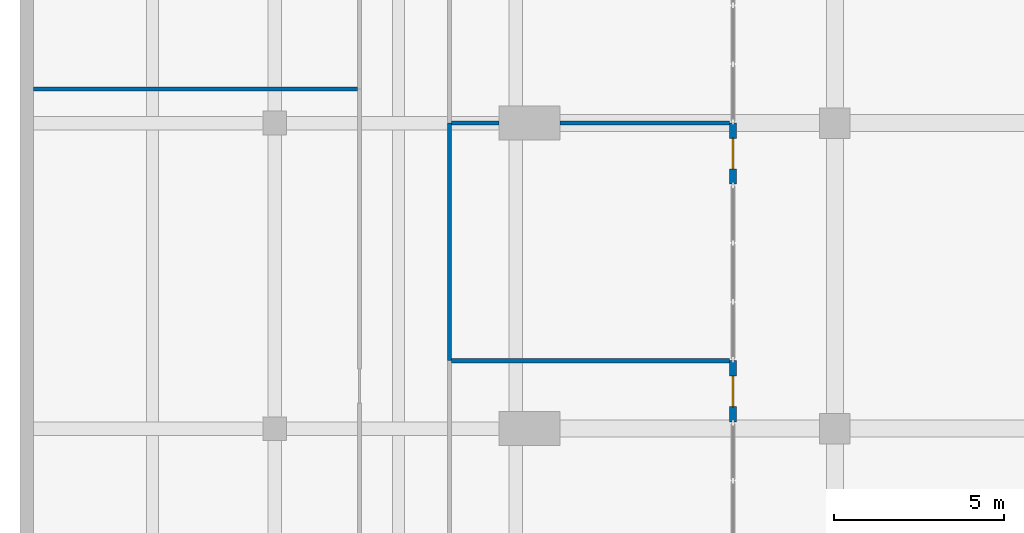
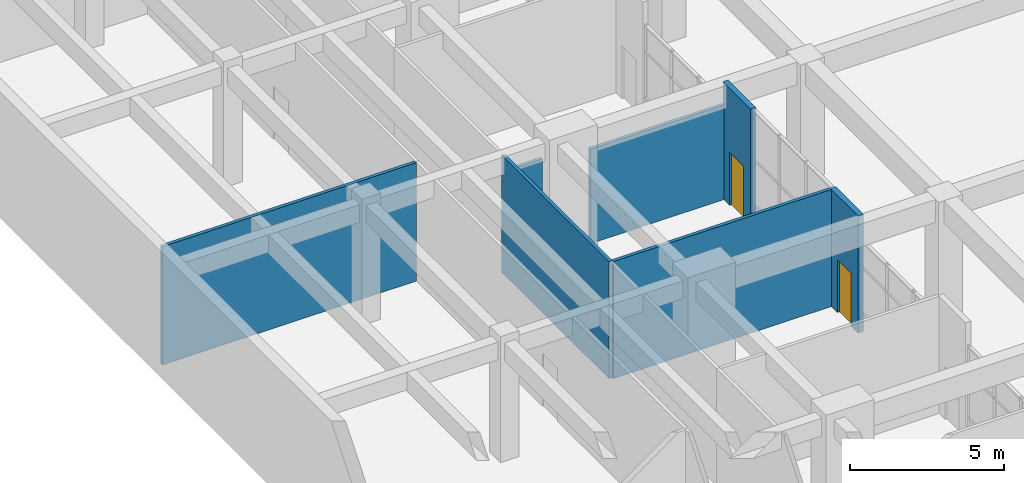
# One storey, part 19 of 29: 7 walls, 2 doors, 2 openings.
"""IFC4 building model written with IfcOpenShell, lengths in metres."""

from ifc_helpers import new_model, si_unit, direction, frame, frame_2d, origin, place, context, subcontext, project, spatial, rectangle, extrude, material, layer, layer_set, type_object, element, fill, save


model = new_model("IFC4")

# Units and contexts
model_context = context("Model", 3, precision=1e-05, world=origin(), true_north=direction((0.0, 1.0)))
body_context = subcontext(model_context, "Body", "Model", "MODEL_VIEW")
ifc_project = project(units=[si_unit("LENGTHUNIT", "METRE"), si_unit("AREAUNIT", "SQUARE_METRE"), si_unit("VOLUMEUNIT", "CUBIC_METRE"), si_unit("PLANEANGLEUNIT", "RADIAN"), si_unit("MASSUNIT", "GRAM", prefix="KILO")], contexts=[model_context])

# Site, building, storey
site_placement = place(None, origin())
site = spatial("IfcSite", under=ifc_project, at=site_placement, CompositionType="ELEMENT")
building_placement = place(site_placement, origin())
building = spatial("IfcBuilding", under=site, at=building_placement, Name="Elmora Arch Market Hall", CompositionType="ELEMENT")
storey_placement = place(building_placement, frame((0.0, 0.0, -5.0)))
storey = spatial("IfcBuildingStorey", under=building, at=storey_placement, Name="LG", CompositionType="ELEMENT", Elevation=-5.0)

# Wall, opening, door
ifc_material_1 = material(Name="Concrete C40/50", Category="concrete")
ifc_layer_1 = layer(ifc_material_1, 0.199951171875)
ifc_layer_set_1 = layer_set([ifc_layer_1], Name="Concrete C40/50")
wall_type_1 = type_object("IfcWallType", Name="Concrete shopfront pier 200", PredefinedType="PARTITIONING", material=ifc_layer_set_1)
wall_1_placement = place(storey_placement, frame((21.0, 54.199951171875, 0.0), z_axis=(0.0, 0.0, 1.0), x_axis=(0.0, 1.0, 0.0)))
wall_1 = element("IfcWall", 1, at=wall_1_placement, inside=storey, type_object=wall_type_1, Name="Lower ground shopfront pier W2", PredefinedType="PARTITIONING", context=body_context, shape_type="SweptSolid", body=[
    extrude(rectangle(XDim=1.800048828125, YDim=0.199951171875, at=frame_2d((0.89990234375, 0.0))), origin(), (0.0, 0.0, 1.0), 4.64990234375),
])
opening_1_placement = place(wall_1_placement, frame((0.449951171875, 0.0, 0.0)))
opening_1 = element("IfcOpeningElement", 2, at=opening_1_placement, cuts=wall_1, Name="Opening SD-LG-W2", PredefinedType="OPENING", context=body_context, shape_type="SweptSolid", body=[
    extrude(rectangle(XDim=0.89990234375, YDim=2.10009765625, at=frame_2d((0.449951171875, 1.050048828125))), frame((0.0, 0.10986328125, 0.0), z_axis=(0.0, -1.0, 0.0), x_axis=(1.0, 0.0, 0.0)), (0.0, 0.0, 1.0), 0.219970703125),
])
ifc_material_2 = material(Name="Glazed aluminium", Category="aluminium")
door_type = type_object("IfcDoorType", Name="Lower ground shop door 900x2100", OperationType="SINGLE_SWING_LEFT", PredefinedType="DOOR", material=ifc_material_2)
door_1_placement = place(opening_1_placement, origin())
door_1 = element("IfcDoor", 3, at=door_1_placement, inside=storey, type_object=door_type, Name="Lower ground shop door W2", OperationType="SINGLE_SWING_RIGHT", OverallHeight=2.10009765625, OverallWidth=0.89990234375, PredefinedType="DOOR", context=body_context, shape_type="SweptSolid", body=[
    extrude(rectangle(XDim=0.89990234375, YDim=2.10009765625, at=frame_2d((0.449951171875, 1.050048828125))), frame((0.0, 0.02490234375, 0.0), z_axis=(0.0, -1.0, 0.0), x_axis=(1.0, 0.0, 0.0)), (0.0, 0.0, 1.0), 0.050048828125),
])
fill(opening_1, door_1)

wall_2_placement = place(storey_placement, frame((21.0, 61.199951171875, 0.0), z_axis=(0.0, 0.0, 1.0), x_axis=(0.0, 1.0, 0.0)))
wall_2 = element("IfcWall", 4, at=wall_2_placement, inside=storey, type_object=wall_type_1, Name="Lower ground shopfront pier W3", PredefinedType="PARTITIONING", context=body_context, shape_type="SweptSolid", body=[
    extrude(rectangle(XDim=1.800048828125, YDim=0.199951171875, at=frame_2d((0.89990234375, 0.0))), origin(), (0.0, 0.0, 1.0), 4.64990234375),
])
opening_2_placement = place(wall_2_placement, frame((0.449951171875, 0.0, 0.0)))
opening_2 = element("IfcOpeningElement", 5, at=opening_2_placement, cuts=wall_2, Name="Opening SD-LG-W3", PredefinedType="OPENING", context=body_context, shape_type="SweptSolid", body=[
    extrude(rectangle(XDim=0.89990234375, YDim=2.10009765625, at=frame_2d((0.449951171875, 1.050048828125))), frame((0.0, 0.10986328125, 0.0), z_axis=(0.0, -1.0, 0.0), x_axis=(1.0, 0.0, 0.0)), (0.0, 0.0, 1.0), 0.219970703125),
])
door_2_placement = place(opening_2_placement, origin())
door_2 = element("IfcDoor", 6, at=door_2_placement, inside=storey, type_object=door_type, Name="Lower ground shop door W3", OperationType="SINGLE_SWING_RIGHT", OverallHeight=2.10009765625, OverallWidth=0.89990234375, PredefinedType="DOOR", context=body_context, shape_type="SweptSolid", body=[
    extrude(rectangle(XDim=0.89990234375, YDim=2.10009765625, at=frame_2d((0.449951171875, 1.050048828125))), frame((0.0, 0.02490234375, 0.0), z_axis=(0.0, -1.0, 0.0), x_axis=(1.0, 0.0, 0.0)), (0.0, 0.0, 1.0), 0.050048828125),
])
fill(opening_2, door_2)

# Walls
ifc_material_3 = material(Name="Gypsum board on metal studs")
ifc_layer_2 = layer(ifc_material_3, 0.125)
ifc_layer_set_2 = layer_set([ifc_layer_2], Name="Gypsum board on metal studs")
wall_type_2 = type_object("IfcWallType", Name="Partition 125 EI 60", PredefinedType="PARTITIONING", material=ifc_layer_set_2)
wall_3_placement = place(storey_placement, frame((12.71240234375, 56.0, 0.0), z_axis=(0.0, 0.0, 1.0), x_axis=(1.0, 0.0, 0.0)))
element("IfcWall", 7, at=wall_3_placement, inside=storey, type_object=wall_type_2, Name="Partition PT-LG-026", PredefinedType="PARTITIONING", context=body_context, shape_type="SweptSolid", body=[
    extrude(rectangle(XDim=8.1875, YDim=0.125, at=frame_2d((4.09375, 0.0))), origin(), (0.0, 0.0, 1.0), 4.64990234375),
])
wall_4_placement = place(storey_placement, frame((12.71240234375, 63.0, 0.0), z_axis=(0.0, 0.0, 1.0), x_axis=(1.0, 0.0, 0.0)))
element("IfcWall", 8, at=wall_4_placement, inside=storey, type_object=wall_type_2, Name="Partition PT-LG-028", PredefinedType="PARTITIONING", context=body_context, shape_type="SweptSolid", body=[
    extrude(rectangle(XDim=1.3876953125, YDim=0.125, at=frame_2d((0.69384765625, 0.0))), origin(), (0.0, 0.0, 1.0), 4.0),
])
wall_5_placement = place(storey_placement, frame((15.89990234375, 63.0, 0.0), z_axis=(0.0, 0.0, 1.0), x_axis=(1.0, 0.0, 0.0)))
element("IfcWall", 9, at=wall_5_placement, inside=storey, type_object=wall_type_2, Name="Partition PT-LG-029", PredefinedType="PARTITIONING", context=body_context, shape_type="SweptSolid", body=[
    extrude(rectangle(XDim=5.0, YDim=0.125, at=frame_2d((2.5, 0.0))), origin(), (0.0, 0.0, 1.0), 3.75),
])
wall_6_placement = place(storey_placement, frame((0.39990234375, 64.0, 0.0), z_axis=(0.0, 0.0, 1.0), x_axis=(1.0, 0.0, 0.0)))
element("IfcWall", 10, at=wall_6_placement, inside=storey, type_object=wall_type_2, Name="Partition PT-LG-031", PredefinedType="PARTITIONING", context=body_context, shape_type="SweptSolid", body=[
    extrude(rectangle(XDim=9.53759765625, YDim=0.125, at=frame_2d((4.768798828125, 0.0))), origin(), (0.0, 0.0, 1.0), 4.699951171875),
])
wall_7_placement = place(storey_placement, frame((12.64990234375, 56.0, 0.0), z_axis=(0.0, 0.0, 1.0), x_axis=(0.0, 1.0, 0.0)))
element("IfcWall", 11, at=wall_7_placement, inside=storey, type_object=wall_type_2, Name="Partition PT-LG-087", PredefinedType="PARTITIONING", context=body_context, shape_type="SweptSolid", body=[
    extrude(rectangle(XDim=7.0, YDim=0.125, at=frame_2d((3.5, 0.0))), origin(), (0.0, 0.0, 1.0), 4.64990234375),
])

save(model, "model.ifc")
